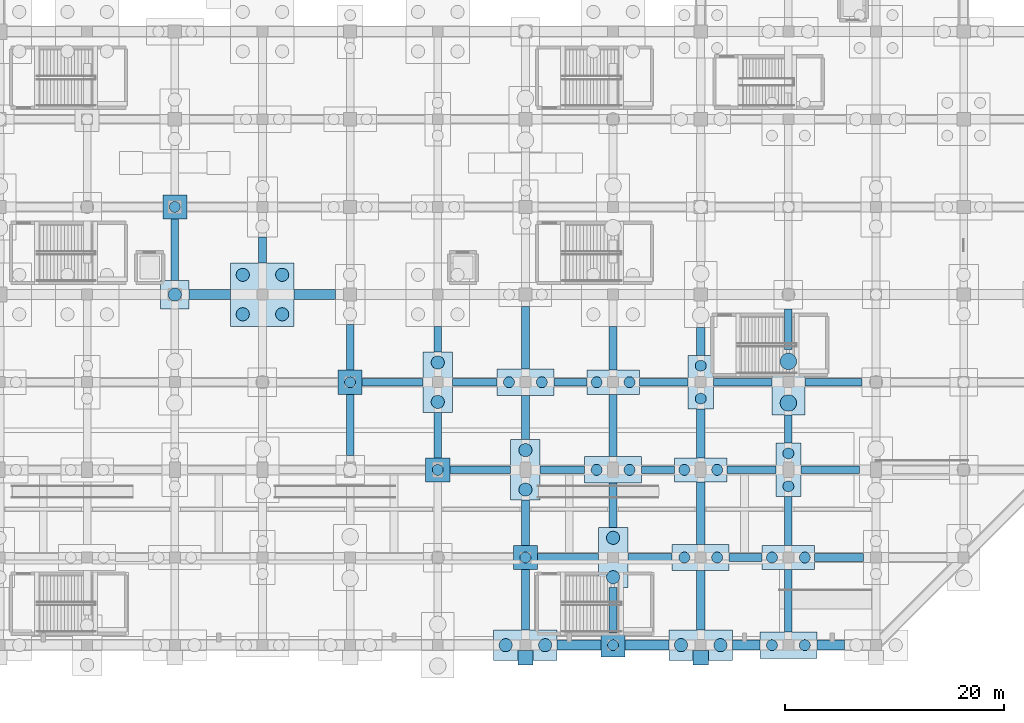
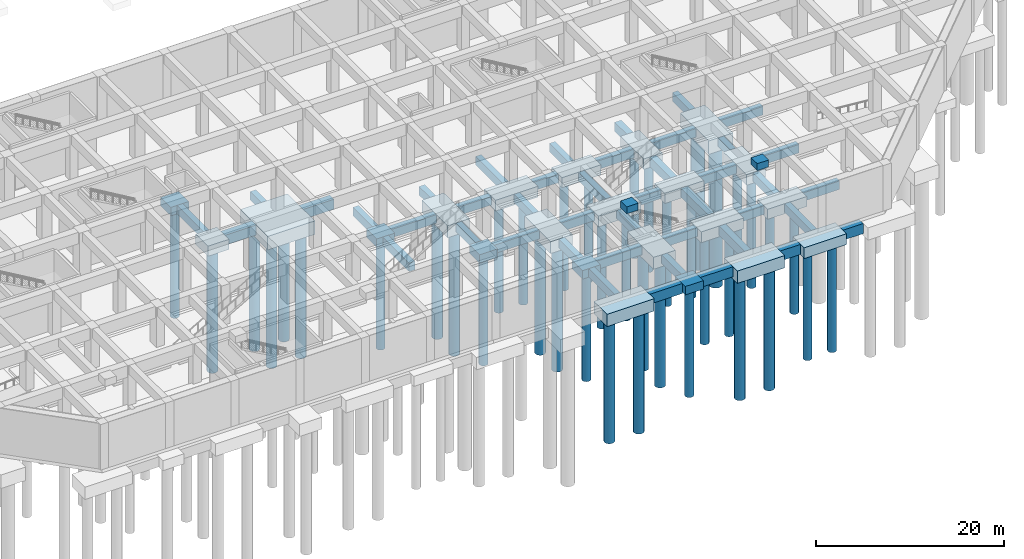
# One storey, part 4 of 26: 67 footings, 40 piles.
"""IFC4 building model written with IfcOpenShell, lengths in metres."""

from ifc_helpers import new_model, si_unit, direction, frame, origin, origin_2d, place, context, subcontext, project, spatial, rectangle, circle, extrude, material, material_profile, profile_set, type_object, element, save


model = new_model("IFC4")

# Units and contexts
model_context = context("Model", 3, precision=1e-05, world=origin(), true_north=direction((0.0, 1.0)))
body_context = subcontext(model_context, "Body", "Model", "MODEL_VIEW")
ifc_project = project(units=[si_unit("LENGTHUNIT", "METRE"), si_unit("AREAUNIT", "SQUARE_METRE"), si_unit("VOLUMEUNIT", "CUBIC_METRE"), si_unit("PLANEANGLEUNIT", "RADIAN"), si_unit("MASSUNIT", "GRAM", prefix="KILO")], contexts=[model_context])

# Site, building, storey
site_placement = place(None, origin())
site = spatial("IfcSite", under=ifc_project, at=site_placement, CompositionType="ELEMENT")
building_placement = place(site_placement, origin())
building = spatial("IfcBuilding", under=site, at=building_placement, Name="Varnela Railside Interchange", CompositionType="ELEMENT")
storey_placement = place(building_placement, frame((0.0, 0.0, -12.60009765625)))
storey = spatial("IfcBuildingStorey", under=building, at=storey_placement, Name="B2", CompositionType="ELEMENT", Elevation=-12.60009765625)

# Piles
ifc_material_1 = material(Name="Concrete C40", Category="concrete")
ifc_material_profile_1 = material_profile(ifc_material_1, circle(Radius=0.5, at=origin_2d()), Name="BORED PILE D1000")
ifc_profile_set_1 = profile_set([ifc_material_profile_1], Name="Concrete C40")
pile_type_1 = type_object("IfcPileType", Name="Bored Pile D1000 L14m", PredefinedType="BORED", material=ifc_profile_set_1)
for number, where, z_axis, x_axis, name in (
    (1, (68.0, 46.0, -1.89990234375), (0.0, 0.0, -1.0), (1.0, 0.0, 0.0), "Bored Pile D1000 L14m"),
    (2, (84.0, 30.0, -1.89990234375), (0.0, 0.0, -1.0), (1.0, 0.0, 0.0), "Bored Pile D1000 L14m"),
    (3, (92.0, 22.0, -1.89990234375), (0.0, 0.0, -1.0), (1.0, 0.0, 0.0), "Bored Pile D1000 L14m"),
    (4, (100.0, 14.0, -1.89990234375), (0.0, 0.0, -1.0), (1.0, 0.0, 0.0), "Bored Pile D1000 L14m"),
    (5, (98.5, 30.0, -2.199951171875), (0.0, 0.0, -1.0), (1.0, 0.0, 0.0), "Bored Pile D1000 L14m"),
    (6, (101.5, 30.0, -2.199951171875), (0.0, 0.0, -1.0), (1.0, 0.0, 0.0), "Bored Pile D1000 L14m"),
    (7, (108.0, 6.0, -1.89990234375), (0.0, 0.0, -1.0), (1.0, 0.0, 0.0), "Bored Pile D1000 L14m"),
    (8, (106.5, 22.0, -2.199951171875), (0.0, 0.0, -1.0), (1.0, 0.0, 0.0), "Bored Pile D1000 L14m"),
    (9, (109.5, 22.0, -2.199951171875), (0.0, 0.0, -1.0), (1.0, 0.0, 0.0), "Bored Pile D1000 L14m"),
    (10, (106.5, 30.0, -2.099853515625), (0.0, 0.0, -1.0), (1.0, 0.0, 0.0), "Bored Pile D1000 L14m"),
    (11, (109.5, 30.0, -2.099853515625), (0.0, 0.0, -1.0), (1.0, 0.0, 0.0), "Bored Pile D1000 L14m"),
    (12, (114.5, 14.0, -2.199951171875), (0.0, 0.0, -1.0), (1.0, 0.0, 0.0), "Bored Pile D1000 L14m"),
    (13, (117.5, 14.0, -2.199951171875), (0.0, 0.0, -1.0), (1.0, 0.0, 0.0), "Bored Pile D1000 L14m"),
    (14, (114.5, 22.0, -2.099853515625), (0.0, 0.0, -1.0), (1.0, 0.0, 0.0), "Bored Pile D1000 L14m"),
    (15, (117.5, 22.0, -2.099853515625), (0.0, 0.0, -1.0), (1.0, 0.0, 0.0), "Bored Pile D1000 L14m"),
    (16, (116.0, 28.5, -2.14990234375), (0.0, 0.0, -1.0), (1.0, 0.0, 0.0), "Bored Pile D1000 L14m"),
    (17, (116.0, 31.5, -2.14990234375), (0.0, 0.0, -1.0), (1.0, 0.0, 0.0), "Bored Pile D1000 L14m"),
    (18, (122.5, 6.0, -2.199951171875), (0.0, 0.0, -1.0), (1.0, 0.0, 0.0), "Bored Pile D1000 L14m"),
    (19, (125.5, 6.0, -2.199951171875), (0.0, 0.0, -1.0), (1.0, 0.0, 0.0), "Bored Pile D1000 L14m"),
    (20, (122.5, 14.0, -2.099853515625), (0.0, 0.0, -1.0), (1.0, 0.0, 0.0), "Bored Pile D1000 L14m"),
    (21, (125.5, 14.0, -2.099853515625), (0.0, 0.0, -1.0), (1.0, 0.0, 0.0), "Bored Pile D1000 L14m"),
    (22, (124.0, 20.5, -2.14990234375), (0.0, 0.0, -1.0), (1.0, 0.0, 0.0), "Bored Pile D1000 L14m"),
    (23, (124.0, 23.5, -2.14990234375), (0.0, 0.0, -1.0), (1.0, 0.0, 0.0), "Bored Pile D1000 L14m"),
):
    element("IfcPile", number, at=place(storey_placement, frame(where, z_axis=z_axis, x_axis=x_axis)), inside=storey, type_object=pile_type_1, Name=name, PredefinedType="BORED", context=body_context, shape_type="SweptSolid", body=[
        extrude(circle(Radius=0.5, at=origin_2d()), origin(), (0.0, 0.0, 1.0), 14.0),
    ])
ifc_material_profile_2 = material_profile(ifc_material_1, circle(Radius=0.60009765625, at=origin_2d()), Name="BORED PILE D1200")
ifc_profile_set_2 = profile_set([ifc_material_profile_2], Name="Concrete C40")
pile_type_2 = type_object("IfcPileType", Name="Bored Pile D1200 L16m", PredefinedType="BORED", material=ifc_profile_set_2)
for number, where, z_axis, x_axis, name in (
    (24, (68.0, 38.0, -2.099853515625), (0.0, 0.0, -1.0), (1.0, 0.0, 0.0), "Bored Pile D1200 L16m"),
    (25, (74.199951171875, 36.199951171875, -2.5498046875), (0.0, 0.0, -1.0), (1.0, 0.0, 0.0), "Bored Pile D1200 L16m"),
    (26, (77.800048828125, 36.199951171875, -2.5498046875), (0.0, 0.0, -1.0), (1.0, 0.0, 0.0), "Bored Pile D1200 L16m"),
    (27, (74.199951171875, 39.800048828125, -2.5498046875), (0.0, 0.0, -1.0), (1.0, 0.0, 0.0), "Bored Pile D1200 L16m"),
    (28, (77.800048828125, 39.800048828125, -2.5498046875), (0.0, 0.0, -1.0), (1.0, 0.0, 0.0), "Bored Pile D1200 L16m"),
    (29, (92.0, 28.199951171875, -2.349853515625), (0.0, 0.0, -1.0), (1.0, 0.0, 0.0), "Bored Pile D1200 L16m"),
    (30, (92.0, 31.800048828125, -2.349853515625), (0.0, 0.0, -1.0), (1.0, 0.0, 0.0), "Bored Pile D1200 L16m"),
    (31, (98.199951171875, 6.0, -2.39990234375), (0.0, 0.0, -1.0), (1.0, 0.0, 0.0), "Bored Pile D1200 L16m"),
    (32, (101.800048828125, 6.0, -2.39990234375), (0.0, 0.0, -1.0), (1.0, 0.0, 0.0), "Bored Pile D1200 L16m"),
    (33, (100.0, 20.199951171875, -2.349853515625), (0.0, 0.0, -1.0), (1.0, 0.0, 0.0), "Bored Pile D1200 L16m"),
    (34, (100.0, 23.800048828125, -2.349853515625), (0.0, 0.0, -1.0), (1.0, 0.0, 0.0), "Bored Pile D1200 L16m"),
    (35, (108.0, 12.199951171875, -2.349853515625), (0.0, 0.0, -1.0), (1.0, 0.0, 0.0), "Bored Pile D1200 L16m"),
    (36, (108.0, 15.800048828125, -2.349853515625), (0.0, 0.0, -1.0), (1.0, 0.0, 0.0), "Bored Pile D1200 L16m"),
    (37, (114.199951171875, 6.0, -2.39990234375), (0.0, 0.0, -1.0), (1.0, 0.0, 0.0), "Bored Pile D1200 L16m"),
    (38, (117.800048828125, 6.0, -2.39990234375), (0.0, 0.0, -1.0), (1.0, 0.0, 0.0), "Bored Pile D1200 L16m"),
):
    element("IfcPile", number, at=place(storey_placement, frame(where, z_axis=z_axis, x_axis=x_axis)), inside=storey, type_object=pile_type_2, Name=name, PredefinedType="BORED", context=body_context, shape_type="SweptSolid", body=[
        extrude(circle(Radius=0.60009765625, at=origin_2d()), origin(), (0.0, 0.0, 1.0), 16.0),
    ])
ifc_material_profile_3 = material_profile(ifc_material_1, circle(Radius=0.75, at=origin_2d()), Name="BORED PILE D1500")
ifc_profile_set_3 = profile_set([ifc_material_profile_3], Name="Concrete C40")
pile_type_3 = type_object("IfcPileType", Name="Bored Pile D1500 L18m", PredefinedType="BORED", material=ifc_profile_set_3)
for number, where, z_axis, x_axis, name in (
    (39, (124.0, 28.10009765625, -2.5498046875), (0.0, 0.0, -1.0), (1.0, 0.0, 0.0), "Bored Pile D1500 L18m"),
    (40, (124.0, 31.89990234375, -2.5498046875), (0.0, 0.0, -1.0), (1.0, 0.0, 0.0), "Bored Pile D1500 L18m"),
):
    element("IfcPile", number, at=place(storey_placement, frame(where, z_axis=z_axis, x_axis=x_axis)), inside=storey, type_object=pile_type_3, Name=name, PredefinedType="BORED", context=body_context, shape_type="SweptSolid", body=[
        extrude(circle(Radius=0.75, at=origin_2d()), origin(), (0.0, 0.0, 1.0), 18.0),
    ])

# Footings
ifc_material_2 = material(Name="Concrete C50", Category="concrete")
footing_type_1 = type_object("IfcFootingType", Name="Four-Pile Transfer PC-12", PredefinedType="PILE_CAP", material=ifc_material_2)
footing_1_placement = place(storey_placement, frame((76.0, 38.0, -2.5498046875), z_axis=(0.0, 0.0, 1.0), x_axis=(1.0, 0.0, 0.0)))
element("IfcFooting", 41, at=footing_1_placement, inside=storey, type_object=footing_type_1, Name="Four-Pile Transfer PC-12 (FT-0015)", PredefinedType="PILE_CAP", context=body_context, shape_type="SweptSolid", body=[
    extrude(rectangle(XDim=5.800048828125, YDim=5.800048828125, at=origin_2d()), origin(), (0.0, 0.0, 1.0), 1.75),
])
footing_type_2 = type_object("IfcFootingType", Name="Ground Tie Beam GB-01", PredefinedType="FOOTING_BEAM", material=ifc_material_2)
footing_2_placement = place(storey_placement, frame((68.0, 42.10009765625, -1.89990234375), z_axis=(0.0, 0.0, 1.0), x_axis=(1.0, 0.0, 0.0)))
element("IfcFooting", 42, at=footing_2_placement, inside=storey, type_object=footing_type_2, Name="Ground Tie Beam GB-01 (FT-0545)", PredefinedType="FOOTING_BEAM", context=body_context, shape_type="SweptSolid", body=[
    extrude(rectangle(XDim=0.699951171875, YDim=5.60009765625, at=origin_2d()), origin(), (0.0, 0.0, 1.0), 1.10009765625),
])
footing_3_placement = place(storey_placement, frame((76.0, 42.074951171875, -1.89990234375), z_axis=(0.0, 0.0, 1.0), x_axis=(1.0, 0.0, 0.0)))
element("IfcFooting", 43, at=footing_3_placement, inside=storey, type_object=footing_type_2, Name="Ground Tie Beam GB-01 (FT-0385)", PredefinedType="FOOTING_BEAM", context=body_context, shape_type="SweptSolid", body=[
    extrude(rectangle(XDim=0.699951171875, YDim=2.35009765625, at=origin_2d()), origin(), (0.0, 0.0, 1.0), 1.10009765625),
])
footing_4_placement = place(storey_placement, frame((84.0, 26.10009765625, -1.89990234375), z_axis=(0.0, 0.0, 1.0), x_axis=(1.0, 0.0, 0.0)))
element("IfcFooting", 44, at=footing_4_placement, inside=storey, type_object=footing_type_2, Name="Ground Tie Beam GB-01 (FT-0390)", PredefinedType="FOOTING_BEAM", context=body_context, shape_type="SweptSolid", body=[
    extrude(rectangle(XDim=0.699951171875, YDim=5.60009765625, at=origin_2d()), origin(), (0.0, 0.0, 1.0), 1.10009765625),
])
for number, where, z_axis, x_axis, name in (
    (45, (84.0, 33.175048828125, -1.89990234375), (0.0, 0.0, 1.0), (1.0, 0.0, 0.0), "Ground Tie Beam GB-01 (FT-0391)"),
    (46, (92.0, 25.175048828125, -1.89990234375), (0.0, 0.0, 1.0), (1.0, 0.0, 0.0), "Ground Tie Beam GB-01 (FT-0397)"),
):
    element("IfcFooting", number, at=place(storey_placement, frame(where, z_axis=z_axis, x_axis=x_axis)), inside=storey, type_object=footing_type_2, Name=name, PredefinedType="FOOTING_BEAM", context=body_context, shape_type="SweptSolid", body=[
        extrude(rectangle(XDim=0.699951171875, YDim=4.14990234375, at=origin_2d()), origin(), (0.0, 0.0, 1.0), 1.10009765625),
    ])
footing_5_placement = place(storey_placement, frame((92.0, 33.925048828125, -1.89990234375), z_axis=(0.0, 0.0, 1.0), x_axis=(1.0, 0.0, 0.0)))
element("IfcFooting", 47, at=footing_5_placement, inside=storey, type_object=footing_type_2, Name="Ground Tie Beam GB-01 (FT-0398)", PredefinedType="FOOTING_BEAM", context=body_context, shape_type="SweptSolid", body=[
    extrude(rectangle(XDim=0.699951171875, YDim=2.35009765625, at=origin_2d()), origin(), (0.0, 0.0, 1.0), 1.10009765625),
])
footing_6_placement = place(storey_placement, frame((100.0, 10.14990234375, -1.89990234375), z_axis=(0.0, 0.0, 1.0), x_axis=(1.0, 0.0, 0.0)))
element("IfcFooting", 48, at=footing_6_placement, inside=storey, type_object=footing_type_2, Name="Ground Tie Beam GB-01 (FT-0402)", PredefinedType="FOOTING_BEAM", context=body_context, shape_type="SweptSolid", body=[
    extrude(rectangle(XDim=0.699951171875, YDim=5.5, at=origin_2d()), origin(), (0.0, 0.0, 1.0), 1.10009765625),
])
footing_7_placement = place(storey_placement, frame((100.0, 17.175048828125, -1.89990234375), z_axis=(0.0, 0.0, 1.0), x_axis=(1.0, 0.0, 0.0)))
element("IfcFooting", 49, at=footing_7_placement, inside=storey, type_object=footing_type_2, Name="Ground Tie Beam GB-01 (FT-0403)", PredefinedType="FOOTING_BEAM", context=body_context, shape_type="SweptSolid", body=[
    extrude(rectangle(XDim=0.699951171875, YDim=4.14990234375, at=origin_2d()), origin(), (0.0, 0.0, 1.0), 1.10009765625),
])
footing_8_placement = place(storey_placement, frame((100.0, 26.77490234375, -1.89990234375), z_axis=(0.0, 0.0, 1.0), x_axis=(1.0, 0.0, 0.0)))
element("IfcFooting", 50, at=footing_8_placement, inside=storey, type_object=footing_type_2, Name="Ground Tie Beam GB-01 (FT-0404)", PredefinedType="FOOTING_BEAM", context=body_context, shape_type="SweptSolid", body=[
    extrude(rectangle(XDim=0.699951171875, YDim=4.050048828125, at=origin_2d()), origin(), (0.0, 0.0, 1.0), 1.10009765625),
])
footing_9_placement = place(storey_placement, frame((100.0, 34.050048828125, -1.89990234375), z_axis=(0.0, 0.0, 1.0), x_axis=(1.0, 0.0, 0.0)))
element("IfcFooting", 51, at=footing_9_placement, inside=storey, type_object=footing_type_2, Name="Ground Tie Beam GB-01 (FT-0405)", PredefinedType="FOOTING_BEAM", context=body_context, shape_type="SweptSolid", body=[
    extrude(rectangle(XDim=0.699951171875, YDim=5.699951171875, at=origin_2d()), origin(), (0.0, 0.0, 1.0), 1.10009765625),
])
footing_10_placement = place(storey_placement, frame((108.0, 9.175048828125, -1.89990234375), z_axis=(0.0, 0.0, 1.0), x_axis=(1.0, 0.0, 0.0)))
element("IfcFooting", 52, at=footing_10_placement, inside=storey, type_object=footing_type_2, Name="Ground Tie Beam GB-01 (FT-0409)", PredefinedType="FOOTING_BEAM", context=body_context, shape_type="SweptSolid", body=[
    extrude(rectangle(XDim=0.699951171875, YDim=4.14990234375, at=origin_2d()), origin(), (0.0, 0.0, 1.0), 1.10009765625),
])
footing_11_placement = place(storey_placement, frame((108.0, 18.77490234375, -1.89990234375), z_axis=(0.0, 0.0, 1.0), x_axis=(1.0, 0.0, 0.0)))
element("IfcFooting", 53, at=footing_11_placement, inside=storey, type_object=footing_type_2, Name="Ground Tie Beam GB-01 (FT-0410)", PredefinedType="FOOTING_BEAM", context=body_context, shape_type="SweptSolid", body=[
    extrude(rectangle(XDim=0.699951171875, YDim=4.050048828125, at=origin_2d()), origin(), (0.0, 0.0, 1.0), 1.10009765625),
])
footing_12_placement = place(storey_placement, frame((108.0, 26.050048828125, -1.89990234375), z_axis=(0.0, 0.0, 1.0), x_axis=(1.0, 0.0, 0.0)))
element("IfcFooting", 54, at=footing_12_placement, inside=storey, type_object=footing_type_2, Name="Ground Tie Beam GB-01 (FT-0411)", PredefinedType="FOOTING_BEAM", context=body_context, shape_type="SweptSolid", body=[
    extrude(rectangle(XDim=0.699951171875, YDim=5.699951171875, at=origin_2d()), origin(), (0.0, 0.0, 1.0), 1.10009765625),
])
footing_13_placement = place(storey_placement, frame((108.0, 33.10009765625, -1.89990234375), z_axis=(0.0, 0.0, 1.0), x_axis=(1.0, 0.0, 0.0)))
element("IfcFooting", 55, at=footing_13_placement, inside=storey, type_object=footing_type_2, Name="Ground Tie Beam GB-01 (FT-0412)", PredefinedType="FOOTING_BEAM", context=body_context, shape_type="SweptSolid", body=[
    extrude(rectangle(XDim=0.699951171875, YDim=4.0, at=origin_2d()), origin(), (0.0, 0.0, 1.0), 1.10009765625),
])
footing_14_placement = place(storey_placement, frame((124.0, 10.050048828125, -1.89990234375), z_axis=(0.0, 0.0, 1.0), x_axis=(1.0, 0.0, 0.0)))
element("IfcFooting", 56, at=footing_14_placement, inside=storey, type_object=footing_type_2, Name="Ground Tie Beam GB-01 (FT-0427)", PredefinedType="FOOTING_BEAM", context=body_context, shape_type="SweptSolid", body=[
    extrude(rectangle(XDim=0.699951171875, YDim=5.699951171875, at=origin_2d()), origin(), (0.0, 0.0, 1.0), 1.10009765625),
])
footing_15_placement = place(storey_placement, frame((124.0, 17.324951171875, -1.89990234375), z_axis=(0.0, 0.0, 1.0), x_axis=(1.0, 0.0, 0.0)))
element("IfcFooting", 57, at=footing_15_placement, inside=storey, type_object=footing_type_2, Name="Ground Tie Beam GB-01 (FT-0428)", PredefinedType="FOOTING_BEAM", context=body_context, shape_type="SweptSolid", body=[
    extrude(rectangle(XDim=0.699951171875, YDim=4.449951171875, at=origin_2d()), origin(), (0.0, 0.0, 1.0), 1.10009765625),
])
footing_16_placement = place(storey_placement, frame((124.0, 25.72509765625, -1.89990234375), z_axis=(0.0, 0.0, 1.0), x_axis=(1.0, 0.0, 0.0)))
element("IfcFooting", 58, at=footing_16_placement, inside=storey, type_object=footing_type_2, Name="Ground Tie Beam GB-01 (FT-0430)", PredefinedType="FOOTING_BEAM", context=body_context, shape_type="SweptSolid", body=[
    extrude(rectangle(XDim=0.699951171875, YDim=2.550048828125, at=origin_2d()), origin(), (0.0, 0.0, 1.0), 1.10009765625),
])
footing_17_placement = place(storey_placement, frame((124.0, 34.85009765625, -1.89990234375), z_axis=(0.0, 0.0, 1.0), x_axis=(1.0, 0.0, 0.0)))
element("IfcFooting", 59, at=footing_17_placement, inside=storey, type_object=footing_type_2, Name="Ground Tie Beam GB-01 (FT-0431)", PredefinedType="FOOTING_BEAM", context=body_context, shape_type="SweptSolid", body=[
    extrude(rectangle(XDim=0.699951171875, YDim=3.699951171875, at=origin_2d()), origin(), (0.0, 0.0, 1.0), 1.10009765625),
])
footing_18_placement = place(storey_placement, frame((103.875, 14.0, -1.89990234375), z_axis=(0.0, 0.0, 1.0), x_axis=(1.0, 0.0, 0.0)))
element("IfcFooting", 60, at=footing_18_placement, inside=storey, type_object=footing_type_2, Name="Ground Tie Beam GB-01 (FT-0222)", PredefinedType="FOOTING_BEAM", context=body_context, shape_type="SweptSolid", body=[
    extrude(rectangle(XDim=5.550048828125, YDim=0.699951171875, at=origin_2d()), origin(), (0.0, 0.0, 1.0), 1.10009765625),
])
footing_19_placement = place(storey_placement, frame((111.375, 14.0, -1.89990234375), z_axis=(0.0, 0.0, 1.0), x_axis=(1.0, 0.0, 0.0)))
element("IfcFooting", 61, at=footing_19_placement, inside=storey, type_object=footing_type_2, Name="Ground Tie Beam GB-01 (FT-0223)", PredefinedType="FOOTING_BEAM", context=body_context, shape_type="SweptSolid", body=[
    extrude(rectangle(XDim=4.050048828125, YDim=0.699951171875, at=origin_2d()), origin(), (0.0, 0.0, 1.0), 1.10009765625),
])
footing_20_placement = place(storey_placement, frame((120.10009765625, 14.0, -1.89990234375), z_axis=(0.0, 0.0, 1.0), x_axis=(1.0, 0.0, 0.0)))
element("IfcFooting", 62, at=footing_20_placement, inside=storey, type_object=footing_type_2, Name="Ground Tie Beam GB-01 (FT-0224)", PredefinedType="FOOTING_BEAM", context=body_context, shape_type="SweptSolid", body=[
    extrude(rectangle(XDim=3.0, YDim=0.699951171875, at=origin_2d()), origin(), (0.0, 0.0, 1.0), 1.10009765625),
])
footing_21_placement = place(storey_placement, frame((128.625, 14.0, -1.89990234375), z_axis=(0.0, 0.0, 1.0), x_axis=(1.0, 0.0, 0.0)))
element("IfcFooting", 63, at=footing_21_placement, inside=storey, type_object=footing_type_2, Name="Ground Tie Beam GB-01 (FT-0225)", PredefinedType="FOOTING_BEAM", context=body_context, shape_type="SweptSolid", body=[
    extrude(rectangle(XDim=4.449951171875, YDim=0.699951171875, at=origin_2d()), origin(), (0.0, 0.0, 1.0), 1.10009765625),
])
footing_22_placement = place(storey_placement, frame((95.875, 22.0, -1.89990234375), z_axis=(0.0, 0.0, 1.0), x_axis=(1.0, 0.0, 0.0)))
element("IfcFooting", 64, at=footing_22_placement, inside=storey, type_object=footing_type_2, Name="Ground Tie Beam GB-01 (FT-0235)", PredefinedType="FOOTING_BEAM", context=body_context, shape_type="SweptSolid", body=[
    extrude(rectangle(XDim=5.550048828125, YDim=0.699951171875, at=origin_2d()), origin(), (0.0, 0.0, 1.0), 1.10009765625),
])
footing_23_placement = place(storey_placement, frame((103.375, 22.0, -1.89990234375), z_axis=(0.0, 0.0, 1.0), x_axis=(1.0, 0.0, 0.0)))
element("IfcFooting", 65, at=footing_23_placement, inside=storey, type_object=footing_type_2, Name="Ground Tie Beam GB-01 (FT-0236)", PredefinedType="FOOTING_BEAM", context=body_context, shape_type="SweptSolid", body=[
    extrude(rectangle(XDim=4.050048828125, YDim=0.699951171875, at=origin_2d()), origin(), (0.0, 0.0, 1.0), 1.10009765625),
])
footing_24_placement = place(storey_placement, frame((112.10009765625, 22.0, -1.89990234375), z_axis=(0.0, 0.0, 1.0), x_axis=(1.0, 0.0, 0.0)))
element("IfcFooting", 66, at=footing_24_placement, inside=storey, type_object=footing_type_2, Name="Ground Tie Beam GB-01 (FT-0237)", PredefinedType="FOOTING_BEAM", context=body_context, shape_type="SweptSolid", body=[
    extrude(rectangle(XDim=3.0, YDim=0.699951171875, at=origin_2d()), origin(), (0.0, 0.0, 1.0), 1.10009765625),
])
footing_25_placement = place(storey_placement, frame((120.625, 22.0, -1.89990234375), z_axis=(0.0, 0.0, 1.0), x_axis=(1.0, 0.0, 0.0)))
element("IfcFooting", 67, at=footing_25_placement, inside=storey, type_object=footing_type_2, Name="Ground Tie Beam GB-01 (FT-0238)", PredefinedType="FOOTING_BEAM", context=body_context, shape_type="SweptSolid", body=[
    extrude(rectangle(XDim=4.449951171875, YDim=0.699951171875, at=origin_2d()), origin(), (0.0, 0.0, 1.0), 1.10009765625),
])
footing_26_placement = place(storey_placement, frame((127.824951171875, 22.0, -1.89990234375), z_axis=(0.0, 0.0, 1.0), x_axis=(1.0, 0.0, 0.0)))
element("IfcFooting", 68, at=footing_26_placement, inside=storey, type_object=footing_type_2, Name="Ground Tie Beam GB-01 (FT-0239)", PredefinedType="FOOTING_BEAM", context=body_context, shape_type="SweptSolid", body=[
    extrude(rectangle(XDim=5.35009765625, YDim=0.699951171875, at=origin_2d()), origin(), (0.0, 0.0, 1.0), 1.10009765625),
])
footing_27_placement = place(storey_placement, frame((87.875, 30.0, -1.89990234375), z_axis=(0.0, 0.0, 1.0), x_axis=(1.0, 0.0, 0.0)))
element("IfcFooting", 69, at=footing_27_placement, inside=storey, type_object=footing_type_2, Name="Ground Tie Beam GB-01 (FT-0251)", PredefinedType="FOOTING_BEAM", context=body_context, shape_type="SweptSolid", body=[
    extrude(rectangle(XDim=5.550048828125, YDim=0.699951171875, at=origin_2d()), origin(), (0.0, 0.0, 1.0), 1.10009765625),
])
footing_28_placement = place(storey_placement, frame((95.375, 30.0, -1.89990234375), z_axis=(0.0, 0.0, 1.0), x_axis=(1.0, 0.0, 0.0)))
element("IfcFooting", 70, at=footing_28_placement, inside=storey, type_object=footing_type_2, Name="Ground Tie Beam GB-01 (FT-0252)", PredefinedType="FOOTING_BEAM", context=body_context, shape_type="SweptSolid", body=[
    extrude(rectangle(XDim=4.050048828125, YDim=0.699951171875, at=origin_2d()), origin(), (0.0, 0.0, 1.0), 1.10009765625),
])
footing_29_placement = place(storey_placement, frame((104.10009765625, 30.0, -1.89990234375), z_axis=(0.0, 0.0, 1.0), x_axis=(1.0, 0.0, 0.0)))
element("IfcFooting", 71, at=footing_29_placement, inside=storey, type_object=footing_type_2, Name="Ground Tie Beam GB-01 (FT-0253)", PredefinedType="FOOTING_BEAM", context=body_context, shape_type="SweptSolid", body=[
    extrude(rectangle(XDim=3.0, YDim=0.699951171875, at=origin_2d()), origin(), (0.0, 0.0, 1.0), 1.10009765625),
])
footing_30_placement = place(storey_placement, frame((112.625, 30.0, -1.89990234375), z_axis=(0.0, 0.0, 1.0), x_axis=(1.0, 0.0, 0.0)))
element("IfcFooting", 72, at=footing_30_placement, inside=storey, type_object=footing_type_2, Name="Ground Tie Beam GB-01 (FT-0254)", PredefinedType="FOOTING_BEAM", context=body_context, shape_type="SweptSolid", body=[
    extrude(rectangle(XDim=4.449951171875, YDim=0.699951171875, at=origin_2d()), origin(), (0.0, 0.0, 1.0), 1.10009765625),
])
footing_31_placement = place(storey_placement, frame((119.824951171875, 30.0, -1.89990234375), z_axis=(0.0, 0.0, 1.0), x_axis=(1.0, 0.0, 0.0)))
element("IfcFooting", 73, at=footing_31_placement, inside=storey, type_object=footing_type_2, Name="Ground Tie Beam GB-01 (FT-0255)", PredefinedType="FOOTING_BEAM", context=body_context, shape_type="SweptSolid", body=[
    extrude(rectangle(XDim=5.35009765625, YDim=0.699951171875, at=origin_2d()), origin(), (0.0, 0.0, 1.0), 1.10009765625),
])
footing_32_placement = place(storey_placement, frame((128.10009765625, 30.0, -1.89990234375), z_axis=(0.0, 0.0, 1.0), x_axis=(1.0, 0.0, 0.0)))
element("IfcFooting", 74, at=footing_32_placement, inside=storey, type_object=footing_type_2, Name="Ground Tie Beam GB-01 (FT-0256)", PredefinedType="FOOTING_BEAM", context=body_context, shape_type="SweptSolid", body=[
    extrude(rectangle(XDim=5.199951171875, YDim=0.699951171875, at=origin_2d()), origin(), (0.0, 0.0, 1.0), 1.10009765625),
])
footing_type_3 = type_object("IfcFootingType", Name="Ground Tie Beam GB-02", PredefinedType="FOOTING_BEAM", material=ifc_material_2)
footing_33_placement = place(storey_placement, frame((116.0, 10.10009765625, -2.0), z_axis=(0.0, 0.0, 1.0), x_axis=(1.0, 0.0, 0.0)))
element("IfcFooting", 75, at=footing_33_placement, inside=storey, type_object=footing_type_3, Name="Ground Tie Beam GB-02 (FT-0416)", PredefinedType="FOOTING_BEAM", context=body_context, shape_type="SweptSolid", body=[
    extrude(rectangle(XDim=0.800048828125, YDim=5.39990234375, at=origin_2d()), origin(), (0.0, 0.0, 1.0), 1.199951171875),
])
footing_34_placement = place(storey_placement, frame((116.0, 18.050048828125, -2.0), z_axis=(0.0, 0.0, 1.0), x_axis=(1.0, 0.0, 0.0)))
element("IfcFooting", 76, at=footing_34_placement, inside=storey, type_object=footing_type_3, Name="Ground Tie Beam GB-02 (FT-0417)", PredefinedType="FOOTING_BEAM", context=body_context, shape_type="SweptSolid", body=[
    extrude(rectangle(XDim=0.800048828125, YDim=5.699951171875, at=origin_2d()), origin(), (0.0, 0.0, 1.0), 1.199951171875),
])
footing_35_placement = place(storey_placement, frame((116.0, 25.324951171875, -2.0), z_axis=(0.0, 0.0, 1.0), x_axis=(1.0, 0.0, 0.0)))
element("IfcFooting", 77, at=footing_35_placement, inside=storey, type_object=footing_type_3, Name="Ground Tie Beam GB-02 (FT-0419)", PredefinedType="FOOTING_BEAM", context=body_context, shape_type="SweptSolid", body=[
    extrude(rectangle(XDim=0.800048828125, YDim=4.449951171875, at=origin_2d()), origin(), (0.0, 0.0, 1.0), 1.199951171875),
])
footing_36_placement = place(storey_placement, frame((116.0, 33.72509765625, -2.0), z_axis=(0.0, 0.0, 1.0), x_axis=(1.0, 0.0, 0.0)))
element("IfcFooting", 78, at=footing_36_placement, inside=storey, type_object=footing_type_3, Name="Ground Tie Beam GB-02 (FT-0420)", PredefinedType="FOOTING_BEAM", context=body_context, shape_type="SweptSolid", body=[
    extrude(rectangle(XDim=0.800048828125, YDim=2.550048828125, at=origin_2d()), origin(), (0.0, 0.0, 1.0), 1.199951171875),
])
footing_type_4 = type_object("IfcFootingType", Name="Ground Tie Beam GB-03", PredefinedType="FOOTING_BEAM", material=ifc_material_2)
for number, where, z_axis, x_axis, name in (
    (79, (104.89990234375, 6.0, -2.10009765625), (0.0, 0.0, 1.0), (1.0, 0.0, 0.0), "Ground Tie Beam GB-03 (FT-0210)"),
    (80, (111.10009765625, 6.0, -2.10009765625), (0.0, 0.0, 1.0), (1.0, 0.0, 0.0), "Ground Tie Beam GB-03 (FT-0211)"),
):
    element("IfcFooting", number, at=place(storey_placement, frame(where, z_axis=z_axis, x_axis=x_axis)), inside=storey, type_object=footing_type_4, Name=name, PredefinedType="FOOTING_BEAM", context=body_context, shape_type="SweptSolid", body=[
        extrude(rectangle(XDim=4.0, YDim=0.89990234375, at=origin_2d()), origin(), (0.0, 0.0, 1.0), 1.300048828125),
    ])
for number, where, z_axis, x_axis, name in (
    (81, (120.14990234375, 6.0, -2.10009765625), (0.0, 0.0, 1.0), (1.0, 0.0, 0.0), "Ground Tie Beam GB-03 (FT-0212)"),
    (82, (127.85009765625, 6.0, -2.10009765625), (0.0, 0.0, 1.0), (1.0, 0.0, 0.0), "Ground Tie Beam GB-03 (FT-0213)"),
):
    element("IfcFooting", number, at=place(storey_placement, frame(where, z_axis=z_axis, x_axis=x_axis)), inside=storey, type_object=footing_type_4, Name=name, PredefinedType="FOOTING_BEAM", context=body_context, shape_type="SweptSolid", body=[
        extrude(rectangle(XDim=2.5, YDim=0.89990234375, at=origin_2d()), origin(), (0.0, 0.0, 1.0), 1.300048828125),
    ])
footing_37_placement = place(storey_placement, frame((71.199951171875, 38.0, -2.10009765625), z_axis=(0.0, 0.0, 1.0), x_axis=(1.0, 0.0, 0.0)))
element("IfcFooting", 83, at=footing_37_placement, inside=storey, type_object=footing_type_4, Name="Ground Tie Beam GB-03 (FT-0286)", PredefinedType="FOOTING_BEAM", context=body_context, shape_type="SweptSolid", body=[
    extrude(rectangle(XDim=3.800048828125, YDim=0.89990234375, at=origin_2d()), origin(), (0.0, 0.0, 1.0), 1.300048828125),
])
footing_38_placement = place(storey_placement, frame((80.77490234375, 38.0, -2.10009765625), z_axis=(0.0, 0.0, 1.0), x_axis=(1.0, 0.0, 0.0)))
element("IfcFooting", 84, at=footing_38_placement, inside=storey, type_object=footing_type_4, Name="Ground Tie Beam GB-03 (FT-0287)", PredefinedType="FOOTING_BEAM", context=body_context, shape_type="SweptSolid", body=[
    extrude(rectangle(XDim=3.75, YDim=0.89990234375, at=origin_2d()), origin(), (0.0, 0.0, 1.0), 1.300048828125),
])
footing_type_5 = type_object("IfcFootingType", Name="Portal Plinth Pad AP-03", PredefinedType="PAD_FOOTING", material=ifc_material_2)
for number, where, z_axis, x_axis, name in (
    (85, (100.0, 4.85009765625, 11.7001953125), (0.0, 0.0, 1.0), (1.0, 0.0, 0.0), "Portal Plinth Pad AP-03 (FT-0559)"),
    (86, (116.0, 4.85009765625, 11.7001953125), (0.0, 0.0, 1.0), (1.0, 0.0, 0.0), "Portal Plinth Pad AP-03 (FT-0560)"),
):
    element("IfcFooting", number, at=place(storey_placement, frame(where, z_axis=z_axis, x_axis=x_axis)), inside=storey, type_object=footing_type_5, Name=name, PredefinedType="PAD_FOOTING", context=body_context, shape_type="SweptSolid", body=[
        extrude(rectangle(XDim=1.39990234375, YDim=1.300048828125, at=origin_2d()), origin(), (0.0, 0.0, 1.0), 0.89990234375),
    ])
footing_type_6 = type_object("IfcFootingType", Name="Single Large Pile Cap PC-07", PredefinedType="PILE_CAP", material=ifc_material_2)
footing_39_placement = place(storey_placement, frame((68.0, 38.0, -2.10009765625), z_axis=(0.0, 0.0, 1.0), x_axis=(1.0, 0.0, 0.0)))
element("IfcFooting", 87, at=footing_39_placement, inside=storey, type_object=footing_type_6, Name="Single Large Pile Cap PC-07 (FT-0197)", PredefinedType="PILE_CAP", context=body_context, shape_type="SweptSolid", body=[
    extrude(rectangle(XDim=2.60009765625, YDim=2.60009765625, at=origin_2d()), origin(), (0.0, 0.0, 1.0), 1.300048828125),
])
footing_type_7 = type_object("IfcFootingType", Name="Single Pile Cap PC-01", PredefinedType="PILE_CAP", material=ifc_material_2)
for number, where, z_axis, x_axis, name in (
    (88, (68.0, 46.0, -1.89990234375), (0.0, 0.0, 1.0), (1.0, 0.0, 0.0), "Single Pile Cap PC-01 (FT-0198)"),
    (89, (84.0, 30.0, -1.89990234375), (0.0, 0.0, 1.0), (1.0, 0.0, 0.0), "Single Pile Cap PC-01 (FT-0022)"),
    (90, (92.0, 22.0, -1.89990234375), (0.0, 0.0, 1.0), (1.0, 0.0, 0.0), "Single Pile Cap PC-01 (FT-0029)"),
    (91, (100.0, 14.0, -1.89990234375), (0.0, 0.0, 1.0), (1.0, 0.0, 0.0), "Single Pile Cap PC-01 (FT-0036)"),
    (92, (108.0, 6.0, -1.89990234375), (0.0, 0.0, 1.0), (1.0, 0.0, 0.0), "Single Pile Cap PC-01 (FT-0043)"),
):
    element("IfcFooting", number, at=place(storey_placement, frame(where, z_axis=z_axis, x_axis=x_axis)), inside=storey, type_object=footing_type_7, Name=name, PredefinedType="PILE_CAP", context=body_context, shape_type="SweptSolid", body=[
        extrude(rectangle(XDim=2.199951171875, YDim=2.199951171875, at=origin_2d()), origin(), (0.0, 0.0, 1.0), 1.10009765625),
    ])
footing_type_8 = type_object("IfcFootingType", Name="Two-Pile Cap Heavy PC-05", PredefinedType="PILE_CAP", material=ifc_material_2)
for number, where, z_axis, x_axis, name in (
    (93, (100.0, 30.0, -2.199951171875), (0.0, 0.0, 1.0), (1.0, 0.0, 0.0), "Two-Pile Cap Heavy PC-05 (FT-0038)"),
    (94, (108.0, 22.0, -2.199951171875), (0.0, 0.0, 1.0), (1.0, 0.0, 0.0), "Two-Pile Cap Heavy PC-05 (FT-0045)"),
    (95, (116.0, 14.0, -2.199951171875), (0.0, 0.0, 1.0), (1.0, 0.0, 0.0), "Two-Pile Cap Heavy PC-05 (FT-0052)"),
    (96, (124.0, 6.0, -2.199951171875), (0.0, 0.0, 1.0), (1.0, 0.0, 0.0), "Two-Pile Cap Heavy PC-05 (FT-0063)"),
):
    element("IfcFooting", number, at=place(storey_placement, frame(where, z_axis=z_axis, x_axis=x_axis)), inside=storey, type_object=footing_type_8, Name=name, PredefinedType="PILE_CAP", context=body_context, shape_type="SweptSolid", body=[
        extrude(rectangle(XDim=5.199951171875, YDim=2.39990234375, at=origin_2d()), origin(), (0.0, 0.0, 1.0), 1.39990234375),
    ])
footing_type_9 = type_object("IfcFootingType", Name="Two-Pile Cap X PC-03", PredefinedType="PILE_CAP", material=ifc_material_2)
for number, where, z_axis, x_axis, name in (
    (97, (108.0, 30.0, -2.10009765625), (0.0, 0.0, 1.0), (1.0, 0.0, 0.0), "Two-Pile Cap X PC-03 (FT-0046)"),
    (98, (116.0, 22.0, -2.10009765625), (0.0, 0.0, 1.0), (1.0, 0.0, 0.0), "Two-Pile Cap X PC-03 (FT-0053)"),
    (99, (124.0, 14.0, -2.10009765625), (0.0, 0.0, 1.0), (1.0, 0.0, 0.0), "Two-Pile Cap X PC-03 (FT-0064)"),
):
    element("IfcFooting", number, at=place(storey_placement, frame(where, z_axis=z_axis, x_axis=x_axis)), inside=storey, type_object=footing_type_9, Name=name, PredefinedType="PILE_CAP", context=body_context, shape_type="SweptSolid", body=[
        extrude(rectangle(XDim=4.800048828125, YDim=2.199951171875, at=origin_2d()), origin(), (0.0, 0.0, 1.0), 1.300048828125),
    ])
footing_type_10 = type_object("IfcFootingType", Name="Two-Pile Cap Y D1200 PC-09", PredefinedType="PILE_CAP", material=ifc_material_2)
for number, where, z_axis, x_axis, name in (
    (100, (92.0, 30.0, -2.35009765625), (0.0, 0.0, 1.0), (1.0, 0.0, 0.0), "Two-Pile Cap Y D1200 PC-09 (FT-0030)"),
    (101, (100.0, 22.0, -2.35009765625), (0.0, 0.0, 1.0), (1.0, 0.0, 0.0), "Two-Pile Cap Y D1200 PC-09 (FT-0037)"),
    (102, (108.0, 14.0, -2.35009765625), (0.0, 0.0, 1.0), (1.0, 0.0, 0.0), "Two-Pile Cap Y D1200 PC-09 (FT-0044)"),
):
    element("IfcFooting", number, at=place(storey_placement, frame(where, z_axis=z_axis, x_axis=x_axis)), inside=storey, type_object=footing_type_10, Name=name, PredefinedType="PILE_CAP", context=body_context, shape_type="SweptSolid", body=[
        extrude(rectangle(XDim=2.699951171875, YDim=5.5, at=origin_2d()), origin(), (0.0, 0.0, 1.0), 1.550048828125),
    ])
footing_type_11 = type_object("IfcFootingType", Name="Two-Pile Cap Y PC-04", PredefinedType="PILE_CAP", material=ifc_material_2)
for number, where, z_axis, x_axis, name in (
    (103, (116.0, 30.0, -2.14990234375), (0.0, 0.0, 1.0), (1.0, 0.0, 0.0), "Two-Pile Cap Y PC-04 (FT-0054)"),
    (104, (124.0, 22.0, -2.14990234375), (0.0, 0.0, 1.0), (1.0, 0.0, 0.0), "Two-Pile Cap Y PC-04 (FT-0065)"),
):
    element("IfcFooting", number, at=place(storey_placement, frame(where, z_axis=z_axis, x_axis=x_axis)), inside=storey, type_object=footing_type_11, Name=name, PredefinedType="PILE_CAP", context=body_context, shape_type="SweptSolid", body=[
        extrude(rectangle(XDim=2.300048828125, YDim=4.89990234375, at=origin_2d()), origin(), (0.0, 0.0, 1.0), 1.35009765625),
    ])
footing_type_12 = type_object("IfcFootingType", Name="Two-Pile Heavy Cap Y PC-14", PredefinedType="PILE_CAP", material=ifc_material_2)
footing_40_placement = place(storey_placement, frame((124.0, 30.0, -2.5498046875), z_axis=(0.0, 0.0, 1.0), x_axis=(1.0, 0.0, 0.0)))
element("IfcFooting", 105, at=footing_40_placement, inside=storey, type_object=footing_type_12, Name="Two-Pile Heavy Cap Y PC-14 (FT-0066)", PredefinedType="PILE_CAP", context=body_context, shape_type="SweptSolid", body=[
    extrude(rectangle(XDim=3.0, YDim=6.0, at=origin_2d()), origin(), (0.0, 0.0, 1.0), 1.75),
])
footing_type_13 = type_object("IfcFootingType", Name="Two-Pile V-Pier Cap PC-10", PredefinedType="PILE_CAP", material=ifc_material_2)
for number, where, z_axis, x_axis, name in (
    (106, (100.0, 6.0, -2.39990234375), (0.0, 0.0, 1.0), (1.0, 0.0, 0.0), "Two-Pile V-Pier Cap PC-10 (FT-0035)"),
    (107, (116.0, 6.0, -2.39990234375), (0.0, 0.0, 1.0), (1.0, 0.0, 0.0), "Two-Pile V-Pier Cap PC-10 (FT-0051)"),
):
    element("IfcFooting", number, at=place(storey_placement, frame(where, z_axis=z_axis, x_axis=x_axis)), inside=storey, type_object=footing_type_13, Name=name, PredefinedType="PILE_CAP", context=body_context, shape_type="SweptSolid", body=[
        extrude(rectangle(XDim=5.800048828125, YDim=2.800048828125, at=origin_2d()), origin(), (0.0, 0.0, 1.0), 1.60009765625),
    ])

save(model, "model.ifc")
